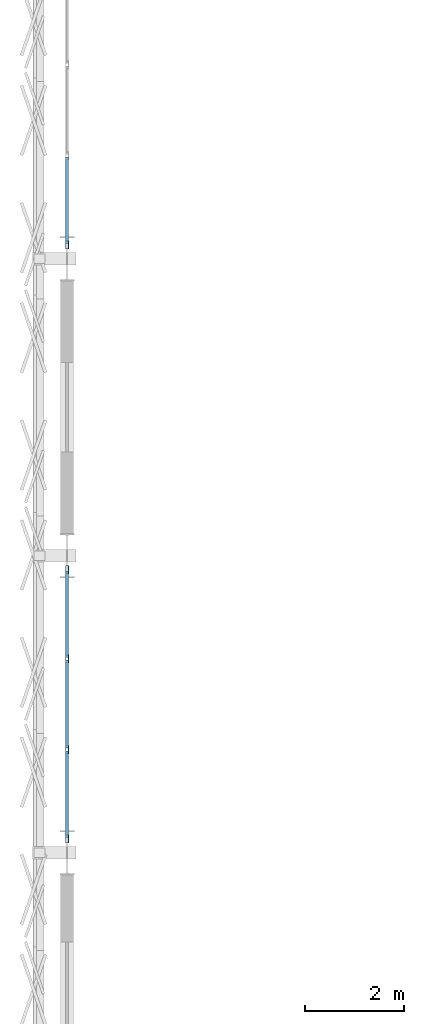
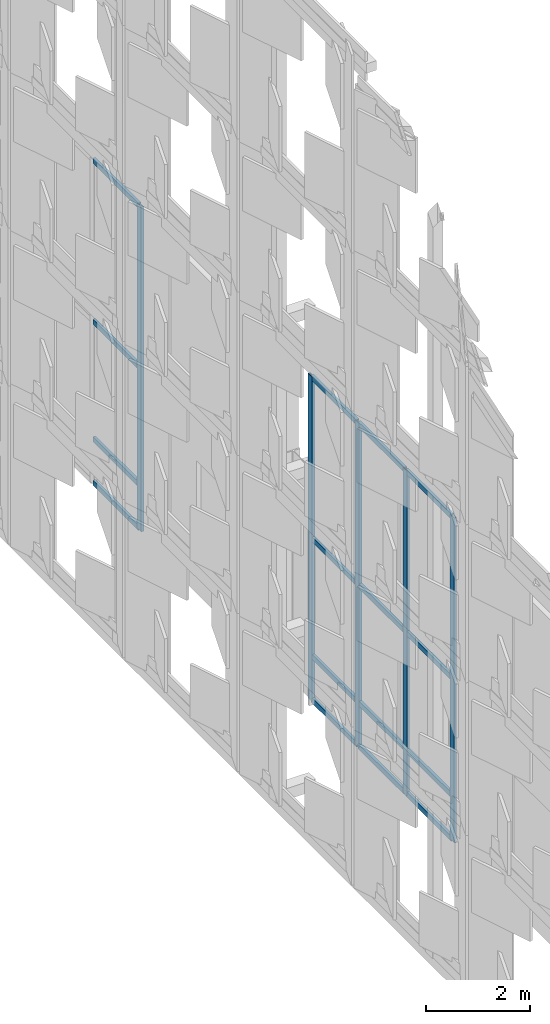
# One storey, part 75 of 210: 21 members, 2 elements without a shape of their own.
"""IFC4 building model written with IfcOpenShell, lengths in metres."""

from ifc_helpers import new_model, si_unit, direction, frame, origin, origin_2d, place, context, subcontext, project, spatial, hollow_rectangle, extrude, material, material_profile, profile_set, type_object, element, aggregate, save


model = new_model("IFC4")

# Units and contexts
model_context = context("Model", 3, precision=1e-05, world=origin(), true_north=direction((0.0, 1.0)))
body_context = subcontext(model_context, "Body", "Model", "MODEL_VIEW")
ifc_project = project(units=[si_unit("LENGTHUNIT", "METRE"), si_unit("AREAUNIT", "SQUARE_METRE"), si_unit("VOLUMEUNIT", "CUBIC_METRE"), si_unit("PLANEANGLEUNIT", "RADIAN"), si_unit("MASSUNIT", "GRAM", prefix="KILO")], contexts=[model_context])

# Site, building, storey
site_placement = place(None, origin())
site = spatial("IfcSite", under=ifc_project, at=site_placement, CompositionType="ELEMENT")
building_placement = place(site_placement, origin())
building = spatial("IfcBuilding", under=site, at=building_placement, Name="Kaldris Quays Convention Centre", CompositionType="ELEMENT")
storey_placement = place(building_placement, frame((0.0, 0.0, 6.0)))
storey = spatial("IfcBuildingStorey", under=building, at=storey_placement, Name="L01", CompositionType="ELEMENT", Elevation=6.0)

# Curtain wall, members
ifc_material_1 = material(Name="Anodized aluminium AW-6060 and triple glazing", Category="aluminium")
curtain_wall_type = type_object("IfcCurtainWallType", Name="UNITISED CURTAIN WALL CW03", PredefinedType="NOTDEFINED", material=ifc_material_1)
curtain_wall_1_placement = place(storey_placement, origin())
curtain_wall_1 = element("IfcCurtainWall", 1, at=curtain_wall_1_placement, inside=storey, type_object=curtain_wall_type, Name="L01 Unitised Curtain Wall CW03 17", PredefinedType="NOTDEFINED")
ifc_material_2 = material(Name="Anodized aluminium AW-6060", Category="aluminium")
ifc_material_profile_1 = material_profile(ifc_material_2, hollow_rectangle(XDim=0.06005859375, YDim=0.159912109375, WallThickness=0.00390625, at=origin_2d()), Name="RHS 160x60x4")
ifc_profile_set_1 = profile_set([ifc_material_profile_1], Name="Anodized aluminium AW-6060")
member_type_1 = type_object("IfcMemberType", Name="CURTAIN MULLION CWM1", PredefinedType="MULLION", material=ifc_profile_set_1)
member_1_placement = place(storey_placement, frame((20.0, 80.280029296875, 0.0), z_axis=(0.0, 0.0, 1.0), x_axis=(-1.0, 0.0, 0.0)))
member_1 = element("IfcMember", 2, at=member_1_placement, type_object=member_type_1, Name="CW03 mullion 1", PredefinedType="MULLION", context=body_context, shape_type="SweptSolid", body=[
    extrude(hollow_rectangle(XDim=0.06005859375, YDim=0.159912109375, WallThickness=0.00390625, at=origin_2d()), origin(), (0.0, 0.0, 1.0), 7.60009765625),
])
member_2_placement = place(storey_placement, frame((20.0, 82.083251953125, 0.0), z_axis=(0.0, 0.0, 1.0), x_axis=(-1.0, 0.0, 0.0)))
member_2 = element("IfcMember", 3, at=member_2_placement, type_object=member_type_1, Name="CW03 mullion 2", PredefinedType="MULLION", context=body_context, shape_type="SweptSolid", body=[
    extrude(hollow_rectangle(XDim=0.06005859375, YDim=0.159912109375, WallThickness=0.00390625, at=origin_2d()), origin(), (0.0, 0.0, 1.0), 7.60009765625),
])
member_3_placement = place(storey_placement, frame((20.0, 83.916748046875, 0.0), z_axis=(0.0, 0.0, 1.0), x_axis=(-1.0, 0.0, 0.0)))
member_3 = element("IfcMember", 4, at=member_3_placement, type_object=member_type_1, Name="CW03 mullion 3", PredefinedType="MULLION", context=body_context, shape_type="SweptSolid", body=[
    extrude(hollow_rectangle(XDim=0.06005859375, YDim=0.159912109375, WallThickness=0.00390625, at=origin_2d()), origin(), (0.0, 0.0, 1.0), 7.60009765625),
])
member_4_placement = place(storey_placement, frame((20.0, 85.719970703125, 0.0), z_axis=(0.0, 0.0, 1.0), x_axis=(-1.0, 0.0, 0.0)))
member_4 = element("IfcMember", 5, at=member_4_placement, type_object=member_type_1, Name="CW03 mullion 4", PredefinedType="MULLION", context=body_context, shape_type="SweptSolid", body=[
    extrude(hollow_rectangle(XDim=0.06005859375, YDim=0.159912109375, WallThickness=0.00390625, at=origin_2d()), origin(), (0.0, 0.0, 1.0), 7.60009765625),
])

# Curtain wall, member
curtain_wall_2_placement = place(storey_placement, origin())
curtain_wall_2 = element("IfcCurtainWall", 6, at=curtain_wall_2_placement, inside=storey, type_object=curtain_wall_type, Name="L01 Unitised Curtain Wall CW03 18", PredefinedType="NOTDEFINED")
member_5_placement = place(storey_placement, frame((20.0, 92.280029296875, 0.0), z_axis=(0.0, 0.0, 1.0), x_axis=(-1.0, 0.0, 0.0)))
member_5 = element("IfcMember", 7, at=member_5_placement, type_object=member_type_1, Name="CW03 mullion 1", PredefinedType="MULLION", context=body_context, shape_type="SweptSolid", body=[
    extrude(hollow_rectangle(XDim=0.06005859375, YDim=0.159912109375, WallThickness=0.00390625, at=origin_2d()), origin(), (0.0, 0.0, 1.0), 7.60009765625),
])

# Member
ifc_material_profile_2 = material_profile(ifc_material_2, hollow_rectangle(XDim=0.06005859375, YDim=0.1201171875, WallThickness=0.00390625, at=origin_2d()), Name="RHS 120x60x4")
ifc_profile_set_2 = profile_set([ifc_material_profile_2], Name="Anodized aluminium AW-6060")
member_type_2 = type_object("IfcMemberType", Name="CURTAIN TRANSOM CWT1", PredefinedType="USERDEFINED", material=ifc_profile_set_2)
member_6_placement = place(storey_placement, frame((20.0, 80.31005859375, 0.030029296875), z_axis=(0.0, 1.0, 0.0), x_axis=(-1.0, 0.0, 0.0)))
member_6 = element("IfcMember", 8, at=member_6_placement, type_object=member_type_2, Name="CW03 transom 1.1", ObjectType="TRANSOM", PredefinedType="USERDEFINED", context=body_context, shape_type="SweptSolid", body=[
    extrude(hollow_rectangle(XDim=0.06005859375, YDim=0.1201171875, WallThickness=0.00390625, at=origin_2d()), origin(), (0.0, 0.0, 1.0), 1.7431640625),
])

member_7_placement = place(storey_placement, frame((20.0, 80.31005859375, 1.050048828125), z_axis=(0.0, 1.0, 0.0), x_axis=(-1.0, 0.0, 0.0)))
member_7 = element("IfcMember", 9, at=member_7_placement, type_object=member_type_2, Name="CW03 transom 1.2", ObjectType="TRANSOM", PredefinedType="USERDEFINED", context=body_context, shape_type="SweptSolid", body=[
    extrude(hollow_rectangle(XDim=0.06005859375, YDim=0.1201171875, WallThickness=0.00390625, at=origin_2d()), origin(), (0.0, 0.0, 1.0), 1.7431640625),
])

member_8_placement = place(storey_placement, frame((20.0, 80.31005859375, 3.800048828125), z_axis=(0.0, 1.0, 0.0), x_axis=(-1.0, 0.0, 0.0)))
member_8 = element("IfcMember", 10, at=member_8_placement, type_object=member_type_2, Name="CW03 transom 1.3", ObjectType="TRANSOM", PredefinedType="USERDEFINED", context=body_context, shape_type="SweptSolid", body=[
    extrude(hollow_rectangle(XDim=0.06005859375, YDim=0.1201171875, WallThickness=0.00390625, at=origin_2d()), origin(), (0.0, 0.0, 1.0), 1.7431640625),
])

member_9_placement = place(storey_placement, frame((20.0, 80.31005859375, 7.570068359375), z_axis=(0.0, 1.0, 0.0), x_axis=(-1.0, 0.0, 0.0)))
member_9 = element("IfcMember", 11, at=member_9_placement, type_object=member_type_2, Name="CW03 transom 1.4", ObjectType="TRANSOM", PredefinedType="USERDEFINED", context=body_context, shape_type="SweptSolid", body=[
    extrude(hollow_rectangle(XDim=0.06005859375, YDim=0.1201171875, WallThickness=0.00390625, at=origin_2d()), origin(), (0.0, 0.0, 1.0), 1.7431640625),
])

member_10_placement = place(storey_placement, frame((20.0, 82.11328125, 0.030029296875), z_axis=(0.0, 1.0, 0.0), x_axis=(-1.0, 0.0, 0.0)))
member_10 = element("IfcMember", 12, at=member_10_placement, type_object=member_type_2, Name="CW03 transom 2.1", ObjectType="TRANSOM", PredefinedType="USERDEFINED", context=body_context, shape_type="SweptSolid", body=[
    extrude(hollow_rectangle(XDim=0.06005859375, YDim=0.1201171875, WallThickness=0.00390625, at=origin_2d()), origin(), (0.0, 0.0, 1.0), 1.7734375),
])

member_11_placement = place(storey_placement, frame((20.0, 82.11328125, 1.050048828125), z_axis=(0.0, 1.0, 0.0), x_axis=(-1.0, 0.0, 0.0)))
member_11 = element("IfcMember", 13, at=member_11_placement, type_object=member_type_2, Name="CW03 transom 2.2", ObjectType="TRANSOM", PredefinedType="USERDEFINED", context=body_context, shape_type="SweptSolid", body=[
    extrude(hollow_rectangle(XDim=0.06005859375, YDim=0.1201171875, WallThickness=0.00390625, at=origin_2d()), origin(), (0.0, 0.0, 1.0), 1.7734375),
])

member_12_placement = place(storey_placement, frame((20.0, 82.11328125, 3.800048828125), z_axis=(0.0, 1.0, 0.0), x_axis=(-1.0, 0.0, 0.0)))
member_12 = element("IfcMember", 14, at=member_12_placement, type_object=member_type_2, Name="CW03 transom 2.3", ObjectType="TRANSOM", PredefinedType="USERDEFINED", context=body_context, shape_type="SweptSolid", body=[
    extrude(hollow_rectangle(XDim=0.06005859375, YDim=0.1201171875, WallThickness=0.00390625, at=origin_2d()), origin(), (0.0, 0.0, 1.0), 1.7734375),
])

member_13_placement = place(storey_placement, frame((20.0, 82.11328125, 7.570068359375), z_axis=(0.0, 1.0, 0.0), x_axis=(-1.0, 0.0, 0.0)))
member_13 = element("IfcMember", 15, at=member_13_placement, type_object=member_type_2, Name="CW03 transom 2.4", ObjectType="TRANSOM", PredefinedType="USERDEFINED", context=body_context, shape_type="SweptSolid", body=[
    extrude(hollow_rectangle(XDim=0.06005859375, YDim=0.1201171875, WallThickness=0.00390625, at=origin_2d()), origin(), (0.0, 0.0, 1.0), 1.7734375),
])

member_14_placement = place(storey_placement, frame((20.0, 83.94677734375, 0.030029296875), z_axis=(0.0, 1.0, 0.0), x_axis=(-1.0, 0.0, 0.0)))
member_14 = element("IfcMember", 16, at=member_14_placement, type_object=member_type_2, Name="CW03 transom 3.1", ObjectType="TRANSOM", PredefinedType="USERDEFINED", context=body_context, shape_type="SweptSolid", body=[
    extrude(hollow_rectangle(XDim=0.06005859375, YDim=0.1201171875, WallThickness=0.00390625, at=origin_2d()), origin(), (0.0, 0.0, 1.0), 1.7431640625),
])

member_15_placement = place(storey_placement, frame((20.0, 83.94677734375, 1.050048828125), z_axis=(0.0, 1.0, 0.0), x_axis=(-1.0, 0.0, 0.0)))
member_15 = element("IfcMember", 17, at=member_15_placement, type_object=member_type_2, Name="CW03 transom 3.2", ObjectType="TRANSOM", PredefinedType="USERDEFINED", context=body_context, shape_type="SweptSolid", body=[
    extrude(hollow_rectangle(XDim=0.06005859375, YDim=0.1201171875, WallThickness=0.00390625, at=origin_2d()), origin(), (0.0, 0.0, 1.0), 1.7431640625),
])

member_16_placement = place(storey_placement, frame((20.0, 83.94677734375, 3.800048828125), z_axis=(0.0, 1.0, 0.0), x_axis=(-1.0, 0.0, 0.0)))
member_16 = element("IfcMember", 18, at=member_16_placement, type_object=member_type_2, Name="CW03 transom 3.3", ObjectType="TRANSOM", PredefinedType="USERDEFINED", context=body_context, shape_type="SweptSolid", body=[
    extrude(hollow_rectangle(XDim=0.06005859375, YDim=0.1201171875, WallThickness=0.00390625, at=origin_2d()), origin(), (0.0, 0.0, 1.0), 1.7431640625),
])

member_17_placement = place(storey_placement, frame((20.0, 83.94677734375, 7.570068359375), z_axis=(0.0, 1.0, 0.0), x_axis=(-1.0, 0.0, 0.0)))
member_17 = element("IfcMember", 19, at=member_17_placement, type_object=member_type_2, Name="CW03 transom 3.4", ObjectType="TRANSOM", PredefinedType="USERDEFINED", context=body_context, shape_type="SweptSolid", body=[
    extrude(hollow_rectangle(XDim=0.06005859375, YDim=0.1201171875, WallThickness=0.00390625, at=origin_2d()), origin(), (0.0, 0.0, 1.0), 1.7431640625),
])

aggregate(curtain_wall_1, [member_1, member_2, member_3, member_4, member_6, member_7, member_8, member_9, member_10, member_11, member_12, member_13, member_14, member_15, member_16, member_17])

member_18_placement = place(storey_placement, frame((20.0, 92.31005859375, 0.030029296875), z_axis=(0.0, 1.0, 0.0), x_axis=(-1.0, 0.0, 0.0)))
member_18 = element("IfcMember", 20, at=member_18_placement, type_object=member_type_2, Name="CW03 transom 1.1", ObjectType="TRANSOM", PredefinedType="USERDEFINED", context=body_context, shape_type="SweptSolid", body=[
    extrude(hollow_rectangle(XDim=0.06005859375, YDim=0.1201171875, WallThickness=0.00390625, at=origin_2d()), origin(), (0.0, 0.0, 1.0), 1.7431640625),
])

member_19_placement = place(storey_placement, frame((20.0, 92.31005859375, 1.050048828125), z_axis=(0.0, 1.0, 0.0), x_axis=(-1.0, 0.0, 0.0)))
member_19 = element("IfcMember", 21, at=member_19_placement, type_object=member_type_2, Name="CW03 transom 1.2", ObjectType="TRANSOM", PredefinedType="USERDEFINED", context=body_context, shape_type="SweptSolid", body=[
    extrude(hollow_rectangle(XDim=0.06005859375, YDim=0.1201171875, WallThickness=0.00390625, at=origin_2d()), origin(), (0.0, 0.0, 1.0), 1.7431640625),
])

member_20_placement = place(storey_placement, frame((20.0, 92.31005859375, 3.800048828125), z_axis=(0.0, 1.0, 0.0), x_axis=(-1.0, 0.0, 0.0)))
member_20 = element("IfcMember", 22, at=member_20_placement, type_object=member_type_2, Name="CW03 transom 1.3", ObjectType="TRANSOM", PredefinedType="USERDEFINED", context=body_context, shape_type="SweptSolid", body=[
    extrude(hollow_rectangle(XDim=0.06005859375, YDim=0.1201171875, WallThickness=0.00390625, at=origin_2d()), origin(), (0.0, 0.0, 1.0), 1.7431640625),
])

member_21_placement = place(storey_placement, frame((20.0, 92.31005859375, 7.570068359375), z_axis=(0.0, 1.0, 0.0), x_axis=(-1.0, 0.0, 0.0)))
member_21 = element("IfcMember", 23, at=member_21_placement, type_object=member_type_2, Name="CW03 transom 1.4", ObjectType="TRANSOM", PredefinedType="USERDEFINED", context=body_context, shape_type="SweptSolid", body=[
    extrude(hollow_rectangle(XDim=0.06005859375, YDim=0.1201171875, WallThickness=0.00390625, at=origin_2d()), origin(), (0.0, 0.0, 1.0), 1.7431640625),
])

aggregate(curtain_wall_2, [member_5, member_18, member_19, member_20, member_21])

save(model, "model.ifc")
